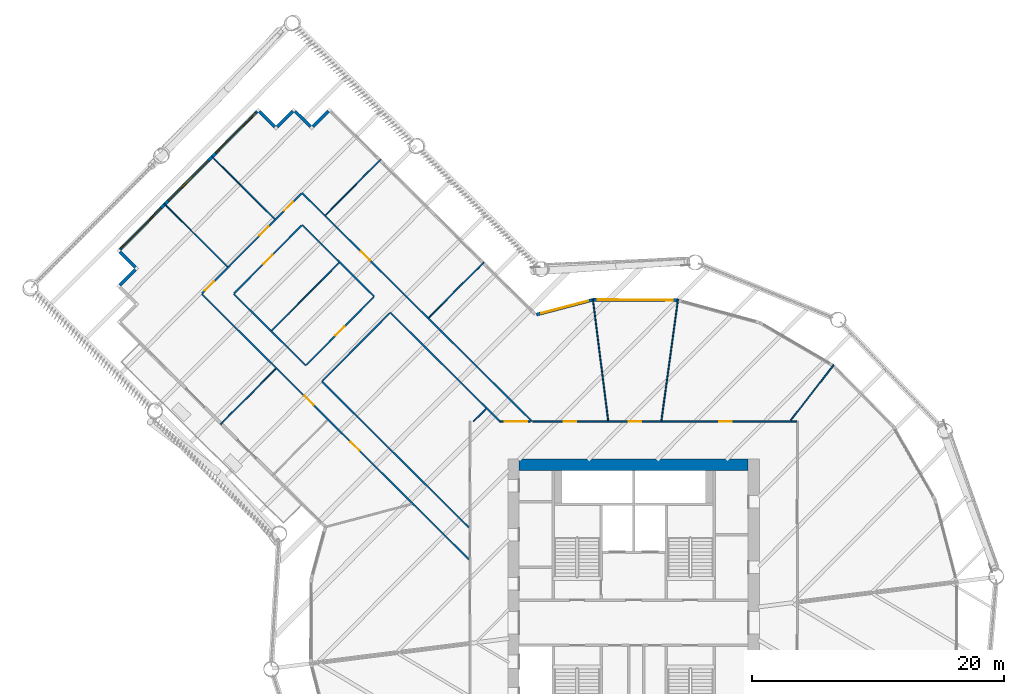
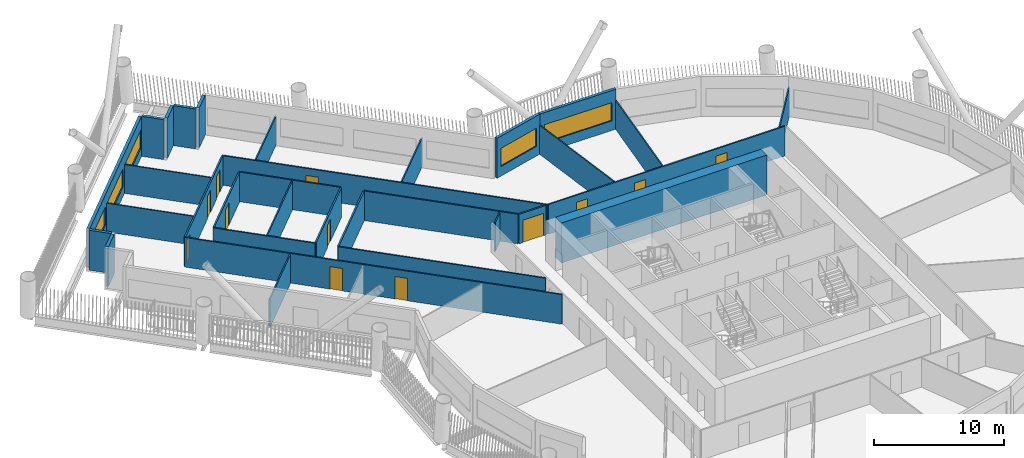
# One storey, part 7 of 22: 32 walls, 12 doors, 5 windows, 17 openings.
"""IFC4 building model written with IfcOpenShell, lengths in metres."""

from ifc_helpers import new_model, si_unit, direction, frame, frame_2d, origin, place, context, subcontext, project, spatial, rectangle, extrude, material, layer, layer_set, type_object, element, fill, save


model = new_model("IFC4")

# Units and contexts
model_context = context("Model", 3, precision=1e-05, world=origin(), true_north=direction((0.0, 1.0)))
body_context = subcontext(model_context, "Body", "Model", "MODEL_VIEW")
ifc_project = project(units=[si_unit("LENGTHUNIT", "METRE"), si_unit("AREAUNIT", "SQUARE_METRE"), si_unit("VOLUMEUNIT", "CUBIC_METRE"), si_unit("PLANEANGLEUNIT", "RADIAN"), si_unit("MASSUNIT", "GRAM", prefix="KILO")], contexts=[model_context])

# Site, building, storey
site_placement = place(None, origin())
site = spatial("IfcSite", under=ifc_project, at=site_placement, CompositionType="ELEMENT")
building_placement = place(site_placement, origin())
building = spatial("IfcBuilding", under=site, at=building_placement, Name="Tarsis Ring Headquarters", CompositionType="ELEMENT")
storey_placement = place(building_placement, frame((0.0, 0.0, 79.0)))
storey = spatial("IfcBuildingStorey", under=building, at=storey_placement, Name="L17", CompositionType="ELEMENT", Elevation=79.0)

# Walls
ifc_material_1 = material(Name="Concrete C60/75", Category="concrete")
ifc_layer_1 = layer(ifc_material_1, 0.89990234375)
ifc_layer_set_1 = layer_set([ifc_layer_1], Name="Core wall 900 C60/75")
wall_type_1 = type_object("IfcWallType", Name="Core wall 900 C60/75", PredefinedType="SHEAR", material=ifc_layer_set_1)
wall_1_placement = place(storey_placement, frame((-9.10009765625, 12.550048828125, 0.0), z_axis=(0.0, 0.0, 1.0), x_axis=(1.0, 0.0, 0.0)))
element("IfcWall", 1, at=wall_1_placement, inside=storey, type_object=wall_type_1, Name="Core wall ON", PredefinedType="SHEAR", context=body_context, shape_type="SweptSolid", body=[
    extrude(rectangle(XDim=18.2001953125, YDim=0.89990234375, at=frame_2d((9.10009765625, 0.0))), origin(), (0.0, 0.0, 1.0), 3.739990234375),
])
ifc_material_2 = material(Name="Gypsum board on steel studs", Category="steel")
ifc_layer_2 = layer(ifc_material_2, 0.10009765625)
ifc_layer_set_2 = layer_set([ifc_layer_2], Name="FL partition 100 unrated")
wall_type_2 = type_object("IfcWallType", Name="FL partition 100 unrated", PredefinedType="PARTITIONING", material=ifc_layer_set_2)
wall_2_placement = place(storey_placement, frame((-3.252197265625, 25.7431640625, 0.0), z_axis=(0.0, 0.0, 1.0), x_axis=(0.125341235965, -0.992113690343, 0.0)))
element("IfcWall", 2, at=wall_2_placement, inside=storey, type_object=wall_type_2, Name="Partition PW3", PredefinedType="PARTITIONING", context=body_context, shape_type="SweptSolid", body=[
    extrude(rectangle(XDim=9.750732421875, YDim=0.10009765625, at=frame_2d((4.87548828125, 0.0))), origin(), (0.0, 0.0, 1.0), 2.699951171875),
])
wall_3_placement = place(storey_placement, frame((2.201171875, 16.0693359375, 0.0), z_axis=(0.0, 0.0, 1.0), x_axis=(0.135716796635, 0.990747672776, 0.0)))
element("IfcWall", 3, at=wall_3_placement, inside=storey, type_object=wall_type_2, Name="Partition PW3", PredefinedType="PARTITIONING", context=body_context, shape_type="SweptSolid", body=[
    extrude(rectangle(XDim=9.728515625, YDim=0.10009765625, at=frame_2d((4.8642578125, 0.0))), origin(), (0.0, 0.0, 1.0), 2.699951171875),
])
wall_4_placement = place(storey_placement, frame((-28.7685546875, 23.227294921875, 0.0), z_axis=(0.0, 0.0, 1.0), x_axis=(0.704638491943, 0.709566484322, 0.0)))
element("IfcWall", 4, at=wall_4_placement, inside=storey, type_object=wall_type_2, Name="Partition PW3", PredefinedType="PARTITIONING", context=body_context, shape_type="SweptSolid", body=[
    extrude(rectangle(XDim=7.579833984375, YDim=0.10009765625, at=frame_2d((3.7900390625, 0.0))), origin(), (0.0, 0.0, 1.0), 2.699951171875),
])
wall_5_placement = place(storey_placement, frame((-37.324462890625, 33.302001953125, 0.0), z_axis=(0.0, 0.0, 1.0), x_axis=(0.709561126694, -0.704643886999, 0.0)))
element("IfcWall", 5, at=wall_5_placement, inside=storey, type_object=wall_type_2, Name="Partition PW3", PredefinedType="PARTITIONING", context=body_context, shape_type="SweptSolid", body=[
    extrude(rectangle(XDim=7.099853515625, YDim=0.10009765625, at=frame_2d((3.5498046875, 0.0))), origin(), (0.0, 0.0, 1.0), 2.699951171875),
])
wall_6_placement = place(storey_placement, frame((-33.561767578125, 37.091064453125, 0.0), z_axis=(0.0, 0.0, 1.0), x_axis=(0.709578199654, -0.704626694481, 0.0)))
element("IfcWall", 6, at=wall_6_placement, inside=storey, type_object=wall_type_2, Name="Partition PW3", PredefinedType="PARTITIONING", context=body_context, shape_type="SweptSolid", body=[
    extrude(rectangle(XDim=7.10009765625, YDim=0.10009765625, at=frame_2d((3.550048828125, 0.0))), origin(), (0.0, 0.0, 1.0), 2.699951171875),
])
wall_7_placement = place(storey_placement, frame((-16.28466796875, 24.24658203125, 0.0), z_axis=(0.0, 0.0, 1.0), x_axis=(0.704649421293, 0.70955563071, 0.0)))
element("IfcWall", 7, at=wall_7_placement, inside=storey, type_object=wall_type_2, Name="Partition PW3", PredefinedType="PARTITIONING", context=body_context, shape_type="SweptSolid", body=[
    extrude(rectangle(XDim=6.22021484375, YDim=0.10009765625, at=frame_2d((3.110107421875, 0.0))), origin(), (0.0, 0.0, 1.0), 2.699951171875),
])
for number, where, z_axis, x_axis, name in (
    (8, (-24.494384765625, 32.399169921875, 0.0), (0.0, 0.0, 1.0), (0.704629659471, 0.709575255343, 0.0), "Partition PW3"),
    (9, (-32.836669921875, 15.76708984375, 0.0), (0.0, 0.0, 1.0), (0.704629659471, 0.709575255343, 0.0), "Partition PW3"),
):
    element("IfcWall", number, at=place(storey_placement, frame(where, z_axis=z_axis, x_axis=x_axis)), inside=storey, type_object=wall_type_2, Name=name, PredefinedType="PARTITIONING", context=body_context, shape_type="SweptSolid", body=[
        extrude(rectangle(XDim=6.219970703125, YDim=0.10009765625, at=frame_2d((3.10986328125, 0.0))), origin(), (0.0, 0.0, 1.0), 2.699951171875),
    ])
wall_8_placement = place(storey_placement, frame((12.478271484375, 16.0869140625, 0.0), z_axis=(0.0, 0.0, 1.0), x_axis=(0.612914818411, 0.790148989351, 0.0)))
element("IfcWall", 10, at=wall_8_placement, inside=storey, type_object=wall_type_2, Name="Partition PW3", PredefinedType="PARTITIONING", context=body_context, shape_type="SweptSolid", body=[
    extrude(rectangle(XDim=5.588623046875, YDim=0.10009765625, at=frame_2d((2.79443359375, 0.0))), origin(), (0.0, 0.0, 1.0), 2.699951171875),
])
wall_9_placement = place(storey_placement, frame((-12.736328125, 15.997802734375, 0.0), z_axis=(0.0, 0.0, 1.0), x_axis=(0.704597032276, 0.709607653643, 0.0)))
element("IfcWall", 11, at=wall_9_placement, inside=storey, type_object=wall_type_2, Name="Partition PW3", PredefinedType="PARTITIONING", context=body_context, shape_type="SweptSolid", body=[
    extrude(rectangle(XDim=1.4130859375, YDim=0.10009765625, at=frame_2d((0.70654296875, 0.0))), origin(), (0.0, 0.0, 1.0), 2.699951171875),
])

# Wall, openings, doors
ifc_layer_3 = layer(ifc_material_2, 0.125)
ifc_layer_set_3 = layer_set([ifc_layer_3], Name="FL partition 125 EI 60 H2770")
wall_type_3 = type_object("IfcWallType", Name="FL partition 125 EI 60 H2770", PredefinedType="PARTITIONING", material=ifc_layer_set_3)
wall_10_placement = place(storey_placement, frame((-34.34375, 26.128173828125, 0.0), z_axis=(0.0, 0.0, 1.0), x_axis=(0.709569176897, -0.704635780526, 0.0)))
wall_10 = element("IfcWall", 12, at=wall_10_placement, inside=storey, type_object=wall_type_3, Name="Partition PW1", PredefinedType="PARTITIONING", context=body_context, shape_type="SweptSolid", body=[
    extrude(rectangle(XDim=29.93994140625, YDim=0.125, at=frame_2d((14.969970703125, 0.0))), origin(), (0.0, 0.0, 1.0), 2.77001953125),
])
opening_1_placement = place(wall_10_placement, frame((16.6787109375, 0.0, 0.0)))
opening_1 = element("IfcOpeningElement", 13, at=opening_1_placement, cuts=wall_10, Name="Opening D17.19", PredefinedType="OPENING", context=body_context, shape_type="SweptSolid", body=[
    extrude(rectangle(XDim=1.0, YDim=2.10009765625, at=frame_2d((0.5, 1.050048828125))), frame((0.0, 0.072509765625, 0.0), z_axis=(0.0, -1.0, 0.0), x_axis=(1.0, 0.0, 0.0)), (0.0, 0.0, 1.0), 0.14501953125),
])
opening_2_placement = place(wall_10_placement, frame((11.51953125, 0.0, 0.0)))
opening_2 = element("IfcOpeningElement", 14, at=opening_2_placement, cuts=wall_10, Name="Opening D17.20", PredefinedType="OPENING", context=body_context, shape_type="SweptSolid", body=[
    extrude(rectangle(XDim=1.0, YDim=2.10009765625, at=frame_2d((0.5, 1.050048828125))), frame((0.0, 0.072509765625, 0.0), z_axis=(0.0, -1.0, 0.0), x_axis=(1.0, 0.0, 0.0)), (0.0, 0.0, 1.0), 0.14501953125),
])
ifc_material_3 = material(Name="Fire-rated timber door leaf in steel frame", Category="steel")
door_type_1 = type_object("IfcDoorType", Name="FL door FD60-1000", OperationType="NOTDEFINED", PredefinedType="DOOR", material=ifc_material_3)
door_1_placement = place(opening_1_placement, origin())
door_1 = element("IfcDoor", 15, at=door_1_placement, inside=storey, type_object=door_type_1, Name="Door D17.19", OperationType="SINGLE_SWING_RIGHT", OverallHeight=2.10009765625, OverallWidth=1.0, PredefinedType="DOOR", context=body_context, shape_type="SweptSolid", body=[
    extrude(rectangle(XDim=1.0, YDim=2.10009765625, at=frame_2d((0.5, 1.050048828125))), frame((0.0, 0.02490234375, 0.0), z_axis=(0.0, -1.0, 0.0), x_axis=(1.0, 0.0, 0.0)), (0.0, 0.0, 1.0), 0.050048828125),
])
fill(opening_1, door_1)
door_2_placement = place(opening_2_placement, origin())
door_2 = element("IfcDoor", 16, at=door_2_placement, inside=storey, type_object=door_type_1, Name="Door D17.20", OperationType="SINGLE_SWING_LEFT", OverallHeight=2.10009765625, OverallWidth=1.0, PredefinedType="DOOR", context=body_context, shape_type="SweptSolid", body=[
    extrude(rectangle(XDim=1.0, YDim=2.10009765625, at=frame_2d((0.5, 1.050048828125))), frame((0.0, 0.02490234375, 0.0), z_axis=(0.0, -1.0, 0.0), x_axis=(1.0, 0.0, 0.0)), (0.0, 0.0, 1.0), 0.050048828125),
])
fill(opening_2, door_2)

# Wall, opening, door
wall_11_placement = place(storey_placement, frame((-26.3671875, 34.160400390625, 0.0), z_axis=(0.0, 0.0, 1.0), x_axis=(0.709570141768, -0.704634808899, 0.0)))
wall_11 = element("IfcWall", 17, at=wall_11_placement, inside=storey, type_object=wall_type_3, Name="Partition PW1", PredefinedType="PARTITIONING", context=body_context, shape_type="SweptSolid", body=[
    extrude(rectangle(XDim=25.772705078125, YDim=0.125, at=frame_2d((12.88623046875, 0.0))), origin(), (0.0, 0.0, 1.0), 2.77001953125),
])
opening_3_placement = place(wall_11_placement, frame((6.623779296875, 0.0, 0.0)))
opening_3 = element("IfcOpeningElement", 18, at=opening_3_placement, cuts=wall_11, Name="Opening D17.04", PredefinedType="OPENING", context=body_context, shape_type="SweptSolid", body=[
    extrude(rectangle(XDim=1.0, YDim=2.10009765625, at=frame_2d((0.5, 1.050048828125))), frame((0.0, 0.072509765625, 0.0), z_axis=(0.0, -1.0, 0.0), x_axis=(1.0, 0.0, 0.0)), (0.0, 0.0, 1.0), 0.14501953125),
])
door_3_placement = place(opening_3_placement, origin())
door_3 = element("IfcDoor", 19, at=door_3_placement, inside=storey, type_object=door_type_1, Name="Door D17.04", OperationType="SINGLE_SWING_LEFT", OverallHeight=2.10009765625, OverallWidth=1.0, PredefinedType="DOOR", context=body_context, shape_type="SweptSolid", body=[
    extrude(rectangle(XDim=1.0, YDim=2.10009765625, at=frame_2d((0.5, 1.050048828125))), frame((0.0, 0.02490234375, 0.0), z_axis=(0.0, -1.0, 0.0), x_axis=(1.0, 0.0, 0.0)), (0.0, 0.0, 1.0), 0.050048828125),
])
fill(opening_3, door_3)

wall_12_placement = place(storey_placement, frame((-10.634033203125, 16.0, 0.0), z_axis=(0.0, 0.0, 1.0), x_axis=(1.0, 0.0, 0.0)))
wall_12 = element("IfcWall", 20, at=wall_12_placement, inside=storey, type_object=wall_type_3, Name="Partition PW1", PredefinedType="PARTITIONING", context=body_context, shape_type="SweptSolid", body=[
    extrude(rectangle(XDim=2.40283203125, YDim=0.125, at=frame_2d((1.201416015625, 0.0))), origin(), (0.0, 0.0, 1.0), 2.77001953125),
])
opening_4_placement = place(wall_12_placement, frame((0.377197265625, 0.0, 0.0)))
opening_4 = element("IfcOpeningElement", 21, at=opening_4_placement, cuts=wall_12, Name="Opening D17.30", PredefinedType="OPENING", context=body_context, shape_type="SweptSolid", body=[
    extrude(rectangle(XDim=1.800048828125, YDim=2.10009765625, at=frame_2d((0.89990234375, 1.050048828125))), frame((0.0, 0.072509765625, 0.0), z_axis=(0.0, -1.0, 0.0), x_axis=(1.0, 0.0, 0.0)), (0.0, 0.0, 1.0), 0.14501953125),
])
door_type_2 = type_object("IfcDoorType", Name="FL door FD60-1800", OperationType="DOUBLE_DOOR_SINGLE_SWING", PredefinedType="DOOR", material=ifc_material_3)
door_4_placement = place(opening_4_placement, origin())
door_4 = element("IfcDoor", 22, at=door_4_placement, inside=storey, type_object=door_type_2, Name="Door D17.30", OperationType="DOUBLE_DOOR_SINGLE_SWING", OverallHeight=2.10009765625, OverallWidth=1.800048828125, PredefinedType="DOOR", context=body_context, shape_type="SweptSolid", body=[
    extrude(rectangle(XDim=1.800048828125, YDim=2.10009765625, at=frame_2d((0.89990234375, 1.050048828125))), frame((0.0, 0.02490234375, 0.0), z_axis=(0.0, -1.0, 0.0), x_axis=(1.0, 0.0, 0.0)), (0.0, 0.0, 1.0), 0.050048828125),
])
fill(opening_4, door_4)

# Wall, openings, doors
wall_13_placement = place(storey_placement, frame((-8.035400390625, 16.0, 0.0), z_axis=(0.0, 0.0, 1.0), x_axis=(1.0, 0.0, 0.0)))
wall_13 = element("IfcWall", 23, at=wall_13_placement, inside=storey, type_object=wall_type_3, Name="Partition PW1", PredefinedType="PARTITIONING", context=body_context, shape_type="SweptSolid", body=[
    extrude(rectangle(XDim=20.975341796875, YDim=0.125, at=frame_2d((10.48779296875, 0.0))), origin(), (0.0, 0.0, 1.0), 2.77001953125),
])
opening_5_placement = place(wall_13_placement, frame((2.485107421875, 0.0, 0.0)))
opening_5 = element("IfcOpeningElement", 24, at=opening_5_placement, cuts=wall_13, Name="Opening D17.05", PredefinedType="OPENING", context=body_context, shape_type="SweptSolid", body=[
    extrude(rectangle(XDim=1.0, YDim=2.10009765625, at=frame_2d((0.5, 1.050048828125))), frame((0.0, 0.072509765625, 0.0), z_axis=(0.0, -1.0, 0.0), x_axis=(1.0, 0.0, 0.0)), (0.0, 0.0, 1.0), 0.14501953125),
])
opening_6_placement = place(wall_13_placement, frame((7.62060546875, 0.0, 0.0)))
opening_6 = element("IfcOpeningElement", 25, at=opening_6_placement, cuts=wall_13, Name="Opening D17.06", PredefinedType="OPENING", context=body_context, shape_type="SweptSolid", body=[
    extrude(rectangle(XDim=1.0, YDim=2.10009765625, at=frame_2d((0.5, 1.050048828125))), frame((0.0, 0.072509765625, 0.0), z_axis=(0.0, -1.0, 0.0), x_axis=(1.0, 0.0, 0.0)), (0.0, 0.0, 1.0), 0.14501953125),
])
opening_7_placement = place(wall_13_placement, frame((14.8369140625, 0.0, 0.0)))
opening_7 = element("IfcOpeningElement", 26, at=opening_7_placement, cuts=wall_13, Name="Opening D17.07", PredefinedType="OPENING", context=body_context, shape_type="SweptSolid", body=[
    extrude(rectangle(XDim=1.0, YDim=2.10009765625, at=frame_2d((0.5, 1.050048828125))), frame((0.0, 0.072509765625, 0.0), z_axis=(0.0, -1.0, 0.0), x_axis=(1.0, 0.0, 0.0)), (0.0, 0.0, 1.0), 0.14501953125),
])
door_5_placement = place(opening_5_placement, origin())
door_5 = element("IfcDoor", 27, at=door_5_placement, inside=storey, type_object=door_type_1, Name="Door D17.05", OperationType="SINGLE_SWING_RIGHT", OverallHeight=2.10009765625, OverallWidth=1.0, PredefinedType="DOOR", context=body_context, shape_type="SweptSolid", body=[
    extrude(rectangle(XDim=1.0, YDim=2.10009765625, at=frame_2d((0.5, 1.050048828125))), frame((0.0, 0.02490234375, 0.0), z_axis=(0.0, -1.0, 0.0), x_axis=(1.0, 0.0, 0.0)), (0.0, 0.0, 1.0), 0.050048828125),
])
fill(opening_5, door_5)
door_6_placement = place(opening_6_placement, origin())
door_6 = element("IfcDoor", 28, at=door_6_placement, inside=storey, type_object=door_type_1, Name="Door D17.06", OperationType="SINGLE_SWING_LEFT", OverallHeight=2.10009765625, OverallWidth=1.0, PredefinedType="DOOR", context=body_context, shape_type="SweptSolid", body=[
    extrude(rectangle(XDim=1.0, YDim=2.10009765625, at=frame_2d((0.5, 1.050048828125))), frame((0.0, 0.02490234375, 0.0), z_axis=(0.0, -1.0, 0.0), x_axis=(1.0, 0.0, 0.0)), (0.0, 0.0, 1.0), 0.050048828125),
])
fill(opening_6, door_6)
door_7_placement = place(opening_7_placement, origin())
door_7 = element("IfcDoor", 29, at=door_7_placement, inside=storey, type_object=door_type_1, Name="Door D17.07", OperationType="SINGLE_SWING_RIGHT", OverallHeight=2.10009765625, OverallWidth=1.0, PredefinedType="DOOR", context=body_context, shape_type="SweptSolid", body=[
    extrude(rectangle(XDim=1.0, YDim=2.10009765625, at=frame_2d((0.5, 1.050048828125))), frame((0.0, 0.02490234375, 0.0), z_axis=(0.0, -1.0, 0.0), x_axis=(1.0, 0.0, 0.0)), (0.0, 0.0, 1.0), 0.050048828125),
])
fill(opening_7, door_7)

# Walls
wall_14_placement = place(storey_placement, frame((-24.78759765625, 19.17529296875, 0.0), z_axis=(0.0, 0.0, 1.0), x_axis=(0.709570223187, -0.704634726909, 0.0)))
element("IfcWall", 30, at=wall_14_placement, inside=storey, type_object=wall_type_3, Name="Partition PW1", PredefinedType="PARTITIONING", context=body_context, shape_type="SweptSolid", body=[
    extrude(rectangle(XDim=16.47216796875, YDim=0.125, at=frame_2d((8.236083984375, 0.0))), origin(), (0.0, 0.0, 1.0), 2.77001953125),
])
wall_15_placement = place(storey_placement, frame((-19.347900390625, 24.653076171875, 0.0), z_axis=(0.0, 0.0, 1.0), x_axis=(0.709563769543, -0.704641225697, 0.0)))
element("IfcWall", 31, at=wall_15_placement, inside=storey, type_object=wall_type_3, Name="Partition PW1", PredefinedType="PARTITIONING", context=body_context, shape_type="SweptSolid", body=[
    extrude(rectangle(XDim=12.250244140625, YDim=0.125, at=frame_2d((6.125, 0.0))), origin(), (0.0, 0.0, 1.0), 2.77001953125),
])

# Wall, openings, doors
wall_16_placement = place(storey_placement, frame((-34.301513671875, 26.170654296875, 0.0), z_axis=(0.0, 0.0, 1.0), x_axis=(0.704639326893, 0.70956565517, 0.0)))
wall_16 = element("IfcWall", 32, at=wall_16_placement, inside=storey, type_object=wall_type_3, Name="Partition PW1", PredefinedType="PARTITIONING", context=body_context, shape_type="SweptSolid", body=[
    extrude(rectangle(XDim=11.2001953125, YDim=0.125, at=frame_2d((5.60009765625, 0.0))), origin(), (0.0, 0.0, 1.0), 2.77001953125),
])
opening_8_placement = place(wall_16_placement, frame((0.340087890625, 0.0, 0.0)))
opening_8 = element("IfcOpeningElement", 33, at=opening_8_placement, cuts=wall_16, Name="Opening D17.01", PredefinedType="OPENING", context=body_context, shape_type="SweptSolid", body=[
    extrude(rectangle(XDim=1.0, YDim=2.10009765625, at=frame_2d((0.5, 1.050048828125))), frame((0.0, 0.072509765625, 0.0), z_axis=(0.0, -1.0, 0.0), x_axis=(1.0, 0.0, 0.0)), (0.0, 0.0, 1.0), 0.14501953125),
])
opening_9_placement = place(wall_16_placement, frame((6.48388671875, 0.0, 0.0)))
opening_9 = element("IfcOpeningElement", 34, at=opening_9_placement, cuts=wall_16, Name="Opening D17.02", PredefinedType="OPENING", context=body_context, shape_type="SweptSolid", body=[
    extrude(rectangle(XDim=1.0, YDim=2.10009765625, at=frame_2d((0.5, 1.050048828125))), frame((0.0, 0.072509765625, 0.0), z_axis=(0.0, -1.0, 0.0), x_axis=(1.0, 0.0, 0.0)), (0.0, 0.0, 1.0), 0.14501953125),
])
opening_10_placement = place(wall_16_placement, frame((9.26318359375, 0.0, 0.0)))
opening_10 = element("IfcOpeningElement", 35, at=opening_10_placement, cuts=wall_16, Name="Opening D17.03", PredefinedType="OPENING", context=body_context, shape_type="SweptSolid", body=[
    extrude(rectangle(XDim=1.0, YDim=2.10009765625, at=frame_2d((0.5, 1.050048828125))), frame((0.0, 0.072509765625, 0.0), z_axis=(0.0, -1.0, 0.0), x_axis=(1.0, 0.0, 0.0)), (0.0, 0.0, 1.0), 0.14501953125),
])
door_8_placement = place(opening_8_placement, origin())
door_8 = element("IfcDoor", 36, at=door_8_placement, inside=storey, type_object=door_type_1, Name="Door D17.01", OperationType="SINGLE_SWING_RIGHT", OverallHeight=2.10009765625, OverallWidth=1.0, PredefinedType="DOOR", context=body_context, shape_type="SweptSolid", body=[
    extrude(rectangle(XDim=1.0, YDim=2.10009765625, at=frame_2d((0.5, 1.050048828125))), frame((0.0, 0.02490234375, 0.0), z_axis=(0.0, -1.0, 0.0), x_axis=(1.0, 0.0, 0.0)), (0.0, 0.0, 1.0), 0.050048828125),
])
fill(opening_8, door_8)
door_9_placement = place(opening_9_placement, origin())
door_9 = element("IfcDoor", 37, at=door_9_placement, inside=storey, type_object=door_type_1, Name="Door D17.02", OperationType="SINGLE_SWING_LEFT", OverallHeight=2.10009765625, OverallWidth=1.0, PredefinedType="DOOR", context=body_context, shape_type="SweptSolid", body=[
    extrude(rectangle(XDim=1.0, YDim=2.10009765625, at=frame_2d((0.5, 1.050048828125))), frame((0.0, 0.02490234375, 0.0), z_axis=(0.0, -1.0, 0.0), x_axis=(1.0, 0.0, 0.0)), (0.0, 0.0, 1.0), 0.050048828125),
])
fill(opening_9, door_9)
door_10_placement = place(opening_10_placement, origin())
door_10 = element("IfcDoor", 38, at=door_10_placement, inside=storey, type_object=door_type_1, Name="Door D17.03", OperationType="SINGLE_SWING_RIGHT", OverallHeight=2.10009765625, OverallWidth=1.0, PredefinedType="DOOR", context=body_context, shape_type="SweptSolid", body=[
    extrude(rectangle(XDim=1.0, YDim=2.10009765625, at=frame_2d((0.5, 1.050048828125))), frame((0.0, 0.02490234375, 0.0), z_axis=(0.0, -1.0, 0.0), x_axis=(1.0, 0.0, 0.0)), (0.0, 0.0, 1.0), 0.050048828125),
])
fill(opening_10, door_10)

# Walls
for number, where, z_axis, x_axis, name in (
    (39, (-26.3583984375, 31.614990234375, 0.0), (0.0, 0.0, 1.0), (0.709565001731, -0.704639984899, 0.0), "Partition PW1"),
    (40, (-31.798095703125, 26.136962890625, 0.0), (0.0, 0.0, 1.0), (0.709580108937, -0.704624771777, 0.0), "Partition PW1"),
):
    element("IfcWall", number, at=place(storey_placement, frame(where, z_axis=z_axis, x_axis=x_axis)), inside=storey, type_object=wall_type_3, Name=name, PredefinedType="PARTITIONING", context=body_context, shape_type="SweptSolid", body=[
        extrude(rectangle(XDim=8.080078125, YDim=0.125, at=frame_2d((4.0400390625, 0.0))), origin(), (0.0, 0.0, 1.0), 2.77001953125),
    ])
wall_17_placement = place(storey_placement, frame((-24.745361328125, 19.2177734375, 0.0), z_axis=(0.0, 0.0, 1.0), x_axis=(0.704645119083, 0.709559903146, 0.0)))
element("IfcWall", 41, at=wall_17_placement, inside=storey, type_object=wall_type_3, Name="Partition PW1", PredefinedType="PARTITIONING", context=body_context, shape_type="SweptSolid", body=[
    extrude(rectangle(XDim=7.600341796875, YDim=0.125, at=frame_2d((3.80029296875, 0.0))), origin(), (0.0, 0.0, 1.0), 2.77001953125),
])

# Wall, opening, door
wall_18_placement = place(storey_placement, frame((-31.755859375, 26.179443359375, 0.0), z_axis=(0.0, 0.0, 1.0), x_axis=(0.704628945513, 0.709575964323, 0.0)))
wall_18 = element("IfcWall", 42, at=wall_18_placement, inside=storey, type_object=wall_type_3, Name="Partition PW1", PredefinedType="PARTITIONING", context=body_context, shape_type="SweptSolid", body=[
    extrude(rectangle(XDim=7.60009765625, YDim=0.125, at=frame_2d((3.800048828125, 0.0))), origin(), (0.0, 0.0, 1.0), 2.77001953125),
])
opening_11_placement = place(wall_18_placement, frame((3.300048828125, 0.0, 0.0)))
opening_11 = element("IfcOpeningElement", 43, at=opening_11_placement, cuts=wall_18, Name="Opening D17.25", PredefinedType="OPENING", context=body_context, shape_type="SweptSolid", body=[
    extrude(rectangle(XDim=1.0, YDim=2.10009765625, at=frame_2d((0.5, 1.050048828125))), frame((0.0, 0.072509765625, 0.0), z_axis=(0.0, -1.0, 0.0), x_axis=(1.0, 0.0, 0.0)), (0.0, 0.0, 1.0), 0.14501953125),
])
door_11_placement = place(opening_11_placement, origin())
door_11 = element("IfcDoor", 44, at=door_11_placement, inside=storey, type_object=door_type_1, Name="Door D17.25", OperationType="SINGLE_SWING_RIGHT", OverallHeight=2.10009765625, OverallWidth=1.0, PredefinedType="DOOR", context=body_context, shape_type="SweptSolid", body=[
    extrude(rectangle(XDim=1.0, YDim=2.10009765625, at=frame_2d((0.5, 1.050048828125))), frame((0.0, 0.02490234375, 0.0), z_axis=(0.0, -1.0, 0.0), x_axis=(1.0, 0.0, 0.0)), (0.0, 0.0, 1.0), 0.050048828125),
])
fill(opening_11, door_11)

wall_19_placement = place(storey_placement, frame((-26.0224609375, 20.486083984375, 0.0), z_axis=(0.0, 0.0, 1.0), x_axis=(0.704628945513, 0.709575964323, 0.0)))
wall_19 = element("IfcWall", 45, at=wall_19_placement, inside=storey, type_object=wall_type_3, Name="Partition PW1", PredefinedType="PARTITIONING", context=body_context, shape_type="SweptSolid", body=[
    extrude(rectangle(XDim=7.60009765625, YDim=0.125, at=frame_2d((3.800048828125, 0.0))), origin(), (0.0, 0.0, 1.0), 2.77001953125),
])
opening_12_placement = place(wall_19_placement, frame((3.300048828125, 0.0, 0.0)))
opening_12 = element("IfcOpeningElement", 46, at=opening_12_placement, cuts=wall_19, Name="Opening D17.26", PredefinedType="OPENING", context=body_context, shape_type="SweptSolid", body=[
    extrude(rectangle(XDim=1.0, YDim=2.10009765625, at=frame_2d((0.5, 1.050048828125))), frame((0.0, 0.072509765625, 0.0), z_axis=(0.0, -1.0, 0.0), x_axis=(1.0, 0.0, 0.0)), (0.0, 0.0, 1.0), 0.14501953125),
])
door_12_placement = place(opening_12_placement, origin())
door_12 = element("IfcDoor", 47, at=door_12_placement, inside=storey, type_object=door_type_1, Name="Door D17.26", OperationType="SINGLE_SWING_LEFT", OverallHeight=2.10009765625, OverallWidth=1.0, PredefinedType="DOOR", context=body_context, shape_type="SweptSolid", body=[
    extrude(rectangle(XDim=1.0, YDim=2.10009765625, at=frame_2d((0.5, 1.050048828125))), frame((0.0, 0.02490234375, 0.0), z_axis=(0.0, -1.0, 0.0), x_axis=(1.0, 0.0, 0.0)), (0.0, 0.0, 1.0), 0.050048828125),
])
fill(opening_12, door_12)

# Wall, opening, window
ifc_material_4 = material(Name="Terracotta clad insulated panel wall", Category="masonry")
ifc_layer_4 = layer(ifc_material_4, 0.25)
ifc_layer_set_4 = layer_set([ifc_layer_4], Name="Facade wall terracotta panel 250")
wall_type_4 = type_object("IfcWallType", Name="Facade wall terracotta panel 250", PredefinedType="STANDARD", material=ifc_layer_set_4)
wall_20_placement = place(storey_placement, frame((3.4951171875, 25.634521484375, 0.0), z_axis=(0.0, 0.0, 1.0), x_axis=(-0.999986130749, 0.005266717117, 0.0)))
wall_20 = element("IfcWall", 48, at=wall_20_placement, inside=storey, type_object=wall_type_4, Name="External wall L17-29", PredefinedType="STANDARD", context=body_context, shape_type="SweptSolid", body=[
    extrude(rectangle(XDim=6.721435546875, YDim=0.25, at=frame_2d((3.36083984375, 0.0))), origin(), (0.0, 0.0, 1.0), 3.739990234375),
])
opening_13_placement = place(wall_20_placement, frame((0.3857421875, 0.0, 0.89990234375)))
opening_13 = element("IfcOpeningElement", 49, at=opening_13_placement, cuts=wall_20, Name="Opening WN07", PredefinedType="OPENING", context=body_context, shape_type="SweptSolid", body=[
    extrude(rectangle(XDim=5.949951171875, YDim=1.699951171875, at=frame_2d((2.97509765625, 0.85009765625))), frame((0.0, 0.135009765625, 0.0), z_axis=(0.0, -1.0, 0.0), x_axis=(1.0, 0.0, 0.0)), (0.0, 0.0, 1.0), 0.27001953125),
])
ifc_material_5 = material(Name="Aluminium framed double glazing", Category="aluminium")
window_type_1 = type_object("IfcWindowType", Name="Facade window 5950 x 1700", PartitioningType="SINGLE_PANEL", PredefinedType="WINDOW", material=ifc_material_5)
window_1_placement = place(opening_13_placement, origin())
window_1 = element("IfcWindow", 50, at=window_1_placement, inside=storey, type_object=window_type_1, Name="Window L17-29.1", OverallHeight=1.699951171875, OverallWidth=5.949951171875, PartitioningType="SINGLE_PANEL", PredefinedType="WINDOW", context=body_context, shape_type="SweptSolid", body=[
    extrude(rectangle(XDim=5.949951171875, YDim=1.699951171875, at=frame_2d((2.97509765625, 0.85009765625))), frame((0.0, 0.030029296875, 0.0), z_axis=(0.0, -1.0, 0.0), x_axis=(1.0, 0.0, 0.0)), (0.0, 0.0, 1.0), 0.06005859375),
])
fill(opening_13, window_1)

wall_21_placement = place(storey_placement, frame((-3.2587890625, 25.665771484375, 0.0), z_axis=(0.0, 0.0, 1.0), x_axis=(-0.967262605868, -0.253777562622, 0.0)))
wall_21 = element("IfcWall", 51, at=wall_21_placement, inside=storey, type_object=wall_type_4, Name="External wall L17-30", PredefinedType="STANDARD", context=body_context, shape_type="SweptSolid", body=[
    extrude(rectangle(XDim=4.61767578125, YDim=0.25, at=frame_2d((2.308837890625, 0.0))), origin(), (0.0, 0.0, 1.0), 3.739990234375),
])
opening_14_placement = place(wall_21_placement, frame((0.367431640625, 0.0, 0.89990234375)))
opening_14 = element("IfcOpeningElement", 52, at=opening_14_placement, cuts=wall_21, Name="Opening WN02", PredefinedType="OPENING", context=body_context, shape_type="SweptSolid", body=[
    extrude(rectangle(XDim=3.85009765625, YDim=1.699951171875, at=frame_2d((1.925048828125, 0.85009765625))), frame((0.0, 0.135009765625, 0.0), z_axis=(0.0, -1.0, 0.0), x_axis=(1.0, 0.0, 0.0)), (0.0, 0.0, 1.0), 0.27001953125),
])
window_type_2 = type_object("IfcWindowType", Name="Facade window 3850 x 1700", PartitioningType="SINGLE_PANEL", PredefinedType="WINDOW", material=ifc_material_5)
window_2_placement = place(opening_14_placement, origin())
window_2 = element("IfcWindow", 53, at=window_2_placement, inside=storey, type_object=window_type_2, Name="Window L17-30.1", OverallHeight=1.699951171875, OverallWidth=3.85009765625, PartitioningType="SINGLE_PANEL", PredefinedType="WINDOW", context=body_context, shape_type="SweptSolid", body=[
    extrude(rectangle(XDim=3.85009765625, YDim=1.699951171875, at=frame_2d((1.925048828125, 0.85009765625))), frame((0.0, 0.030029296875, 0.0), z_axis=(0.0, -1.0, 0.0), x_axis=(1.0, 0.0, 0.0)), (0.0, 0.0, 1.0), 0.06005859375),
])
fill(opening_14, window_2)

# Walls
wall_22_placement = place(storey_placement, frame((-24.272216796875, 40.66259765625, 0.0), z_axis=(0.0, 0.0, 1.0), x_axis=(-0.704590908173, -0.70961373445, 0.0)))
element("IfcWall", 54, at=wall_22_placement, inside=storey, type_object=wall_type_4, Name="External wall L17-32", PredefinedType="STANDARD", context=body_context, shape_type="SweptSolid", body=[
    extrude(rectangle(XDim=1.749755859375, YDim=0.25, at=frame_2d((0.875, 0.0))), origin(), (0.0, 0.0, 1.0), 3.739990234375),
])
wall_23_placement = place(storey_placement, frame((-25.681884765625, 39.420166015625, 0.0), z_axis=(0.0, 0.0, 1.0), x_axis=(-0.70961324077, 0.704591405372, 0.0)))
element("IfcWall", 55, at=wall_23_placement, inside=storey, type_object=wall_type_4, Name="External wall L17-33", PredefinedType="STANDARD", context=body_context, shape_type="SweptSolid", body=[
    extrude(rectangle(XDim=1.750244140625, YDim=0.25, at=frame_2d((0.875, 0.0))), origin(), (0.0, 0.0, 1.0), 3.739990234375),
])
wall_24_placement = place(storey_placement, frame((-27.1005859375, 40.652587890625, 0.0), z_axis=(0.0, 0.0, 1.0), x_axis=(-0.704661154827, -0.709543978114, 0.0)))
element("IfcWall", 56, at=wall_24_placement, inside=storey, type_object=wall_type_4, Name="External wall L17-34", PredefinedType="STANDARD", context=body_context, shape_type="SweptSolid", body=[
    extrude(rectangle(XDim=1.75, YDim=0.25, at=frame_2d((0.875, 0.0))), origin(), (0.0, 0.0, 1.0), 3.739990234375),
])
wall_25_placement = place(storey_placement, frame((-28.510498046875, 39.410400390625, 0.0), z_axis=(0.0, 0.0, 1.0), x_axis=(-0.70961373445, 0.704590908173, 0.0)))
element("IfcWall", 57, at=wall_25_placement, inside=storey, type_object=wall_type_4, Name="External wall L17-35", PredefinedType="STANDARD", context=body_context, shape_type="SweptSolid", body=[
    extrude(rectangle(XDim=1.749755859375, YDim=0.25, at=frame_2d((0.875, 0.0))), origin(), (0.0, 0.0, 1.0), 3.739990234375),
])

# Wall, openings, windows
wall_26_placement = place(storey_placement, frame((-29.928955078125, 40.642822265625, 0.0), z_axis=(0.0, 0.0, 1.0), x_axis=(-0.704637450515, -0.709567518515, 0.0)))
wall_26 = element("IfcWall", 58, at=wall_26_placement, inside=storey, type_object=wall_type_4, Name="External wall L17-36", PredefinedType="STANDARD", context=body_context, shape_type="SweptSolid", body=[
    extrude(rectangle(XDim=15.5, YDim=0.25, at=frame_2d((7.75, 0.0))), origin(), (0.0, 0.0, 1.0), 3.739990234375),
])
opening_15_placement = place(wall_26_placement, frame((0.166748046875, 0.0, 0.89990234375)))
opening_15 = element("IfcOpeningElement", 59, at=opening_15_placement, cuts=wall_26, Name="Opening WN04", PredefinedType="OPENING", context=body_context, shape_type="SweptSolid", body=[
    extrude(rectangle(XDim=4.5, YDim=1.699951171875, at=frame_2d((2.25, 0.85009765625))), frame((0.0, 0.135009765625, 0.0), z_axis=(0.0, -1.0, 0.0), x_axis=(1.0, 0.0, 0.0)), (0.0, 0.0, 1.0), 0.27001953125),
])
opening_16_placement = place(wall_26_placement, frame((5.5, 0.0, 0.89990234375)))
opening_16 = element("IfcOpeningElement", 60, at=opening_16_placement, cuts=wall_26, Name="Opening WN04", PredefinedType="OPENING", context=body_context, shape_type="SweptSolid", body=[
    extrude(rectangle(XDim=4.5, YDim=1.699951171875, at=frame_2d((2.25, 0.85009765625))), frame((0.0, 0.135009765625, 0.0), z_axis=(0.0, -1.0, 0.0), x_axis=(1.0, 0.0, 0.0)), (0.0, 0.0, 1.0), 0.27001953125),
])
opening_17_placement = place(wall_26_placement, frame((10.833251953125, 0.0, 0.89990234375)))
opening_17 = element("IfcOpeningElement", 61, at=opening_17_placement, cuts=wall_26, Name="Opening WN04", PredefinedType="OPENING", context=body_context, shape_type="SweptSolid", body=[
    extrude(rectangle(XDim=4.5, YDim=1.699951171875, at=frame_2d((2.25, 0.85009765625))), frame((0.0, 0.135009765625, 0.0), z_axis=(0.0, -1.0, 0.0), x_axis=(1.0, 0.0, 0.0)), (0.0, 0.0, 1.0), 0.27001953125),
])
window_type_3 = type_object("IfcWindowType", Name="Facade window 4500 x 1700", PartitioningType="SINGLE_PANEL", PredefinedType="WINDOW", material=ifc_material_5)
window_3_placement = place(opening_15_placement, origin())
window_3 = element("IfcWindow", 62, at=window_3_placement, inside=storey, type_object=window_type_3, Name="Window L17-36.1", OverallHeight=1.699951171875, OverallWidth=4.5, PartitioningType="SINGLE_PANEL", PredefinedType="WINDOW", context=body_context, shape_type="SweptSolid", body=[
    extrude(rectangle(XDim=4.5, YDim=1.699951171875, at=frame_2d((2.25, 0.85009765625))), frame((0.0, 0.030029296875, 0.0), z_axis=(0.0, -1.0, 0.0), x_axis=(1.0, 0.0, 0.0)), (0.0, 0.0, 1.0), 0.06005859375),
])
fill(opening_15, window_3)
window_4_placement = place(opening_16_placement, origin())
window_4 = element("IfcWindow", 63, at=window_4_placement, inside=storey, type_object=window_type_3, Name="Window L17-36.2", OverallHeight=1.699951171875, OverallWidth=4.5, PartitioningType="SINGLE_PANEL", PredefinedType="WINDOW", context=body_context, shape_type="SweptSolid", body=[
    extrude(rectangle(XDim=4.5, YDim=1.699951171875, at=frame_2d((2.25, 0.85009765625))), frame((0.0, 0.030029296875, 0.0), z_axis=(0.0, -1.0, 0.0), x_axis=(1.0, 0.0, 0.0)), (0.0, 0.0, 1.0), 0.06005859375),
])
fill(opening_16, window_4)
window_5_placement = place(opening_17_placement, origin())
window_5 = element("IfcWindow", 64, at=window_5_placement, inside=storey, type_object=window_type_3, Name="Window L17-36.3", OverallHeight=1.699951171875, OverallWidth=4.5, PartitioningType="SINGLE_PANEL", PredefinedType="WINDOW", context=body_context, shape_type="SweptSolid", body=[
    extrude(rectangle(XDim=4.5, YDim=1.699951171875, at=frame_2d((2.25, 0.85009765625))), frame((0.0, 0.030029296875, 0.0), z_axis=(0.0, -1.0, 0.0), x_axis=(1.0, 0.0, 0.0)), (0.0, 0.0, 1.0), 0.06005859375),
])
fill(opening_17, window_5)

# Walls
for number, where, z_axis, x_axis, name in (
    (65, (-40.85009765625, 29.4677734375, 0.0), (0.0, 0.0, 1.0), (0.709543978114, -0.704661154827, 0.0), "External wall L17-37"),
    (66, (-39.607666015625, 28.057861328125, 0.0), (0.0, 0.0, 1.0), (-0.704661154827, -0.709543978114, 0.0), "External wall L17-38"),
):
    element("IfcWall", number, at=place(storey_placement, frame(where, z_axis=z_axis, x_axis=x_axis)), inside=storey, type_object=wall_type_4, Name=name, PredefinedType="STANDARD", context=body_context, shape_type="SweptSolid", body=[
        extrude(rectangle(XDim=1.75, YDim=0.25, at=frame_2d((0.875, 0.0))), origin(), (0.0, 0.0, 1.0), 3.739990234375),
    ])

save(model, "model.ifc")
